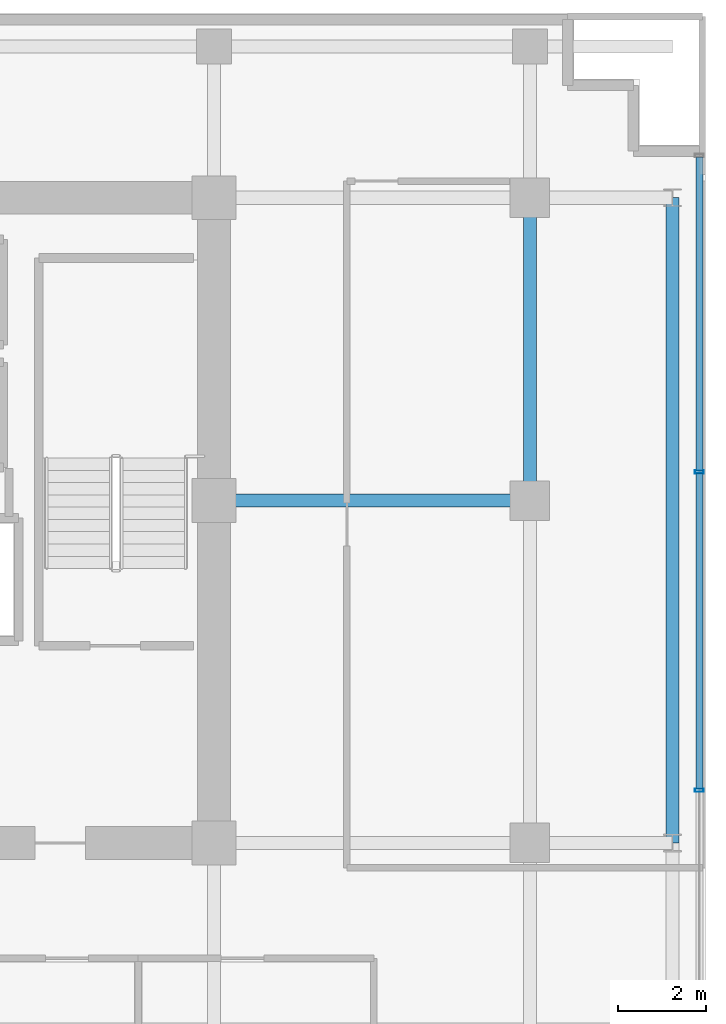
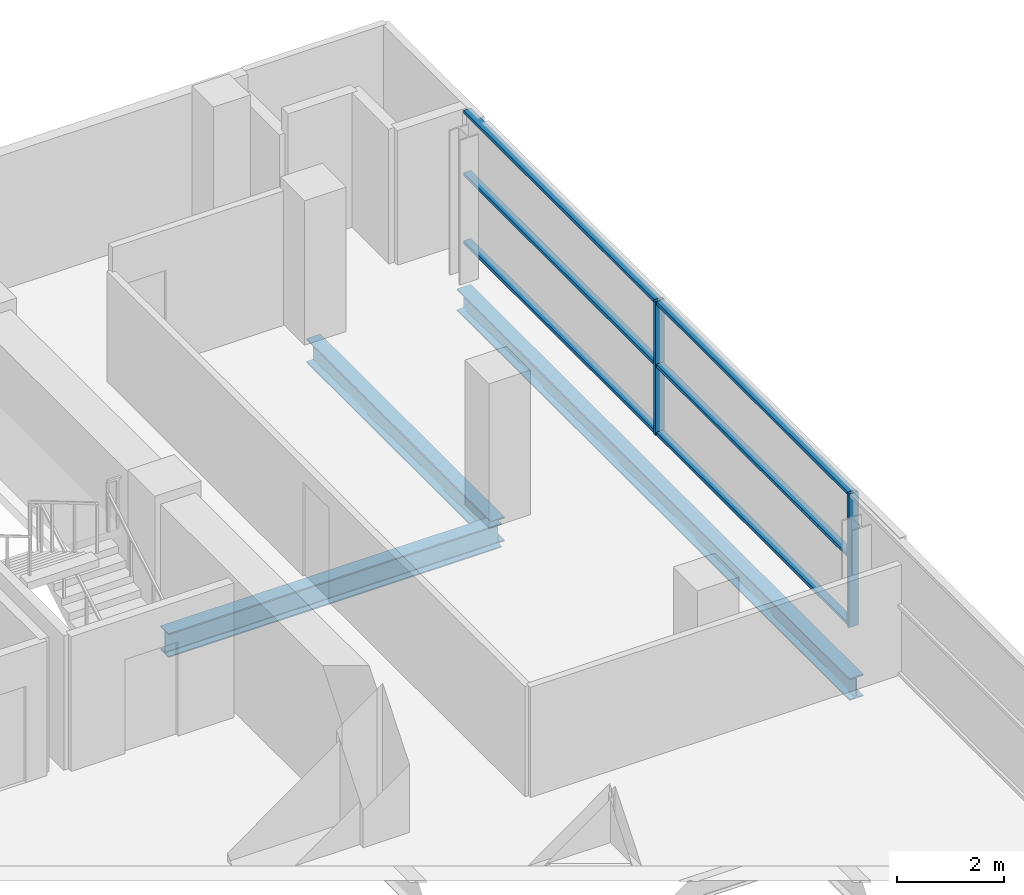
# One storey, part 14 of 28: 8 members, 3 beams, 1 element without a shape of its own.
"""IFC4 building model written with IfcOpenShell, lengths in metres."""

from ifc_helpers import new_model, si_unit, direction, frame, origin, origin_2d, place, context, subcontext, project, spatial, hollow_rectangle, i_section, extrude, source, transform, mapped, material, layer, layer_set, material_profile, profile_set, type_object, element, aggregate, save


model = new_model("IFC4")

# Units and contexts
model_context = context("Model", 3, precision=1e-05, world=origin(), true_north=direction((0.0, 1.0)))
body_context = subcontext(model_context, "Body", "Model", "MODEL_VIEW")
ifc_project = project(units=[si_unit("LENGTHUNIT", "METRE"), si_unit("AREAUNIT", "SQUARE_METRE"), si_unit("VOLUMEUNIT", "CUBIC_METRE"), si_unit("PLANEANGLEUNIT", "RADIAN"), si_unit("MASSUNIT", "GRAM", prefix="KILO")], contexts=[model_context])

# Site, building, storey
site_placement = place(None, origin())
site = spatial("IfcSite", under=ifc_project, at=site_placement, CompositionType="ELEMENT")
building_placement = place(site_placement, origin())
building = spatial("IfcBuilding", under=site, at=building_placement, Name="Zarnakvel Exchange Tower", CompositionType="ELEMENT")
storey_placement = place(building_placement, frame((0.0, 0.0, 90.10009765625)))
storey = spatial("IfcBuildingStorey", under=building, at=storey_placement, Name="L24", CompositionType="ELEMENT", Elevation=90.10009765625)

# Beams
ifc_material_1 = material(Name="Steel S355", Category="steel")
ifc_material_profile_1 = material_profile(ifc_material_1, i_section(OverallWidth=0.300048828125, OverallDepth=0.550048828125, WebThickness=0.014892578125, FlangeThickness=0.029052734375, FilletRadius=0.027099609375, at=origin_2d()))
ifc_profile_set_1 = profile_set([ifc_material_profile_1], Name="Steel S355")
beam_type_1 = type_object("IfcBeamType", Name="G-05", PredefinedType="BEAM", material=ifc_profile_set_1)
beam_1_placement = place(storey_placement, frame((14.39990234375, 6.60009765625, -0.5), z_axis=(1.0, 0.0, 0.0), x_axis=(0.0, 1.0, 0.0)))
element("IfcBeam", 1, at=beam_1_placement, inside=storey, type_object=beam_type_1, Name="L24 Tower E-W Frame Beam", PredefinedType="BEAM", context=body_context, shape_type="SweptSolid", body=[
    extrude(i_section(OverallWidth=0.300048828125, OverallDepth=0.550048828125, WebThickness=0.014892578125, FlangeThickness=0.029052734375, FilletRadius=0.027099609375, at=origin_2d()), origin(), (0.0, 0.0, 1.0), 7.2001953125),
])
beam_2_placement = place(storey_placement, frame((21.60009765625, 6.60009765625, -0.5), z_axis=(0.0, 1.0, 0.0), x_axis=(-1.0, 0.0, 0.0)))
element("IfcBeam", 2, at=beam_2_placement, inside=storey, type_object=beam_type_1, Name="L24 Tower N-S Frame Beam", PredefinedType="BEAM", context=body_context, shape_type="SweptSolid", body=[
    extrude(i_section(OverallWidth=0.300048828125, OverallDepth=0.550048828125, WebThickness=0.014892578125, FlangeThickness=0.029052734375, FilletRadius=0.027099609375, at=origin_2d()), origin(), (0.0, 0.0, 1.0), 6.89990234375),
])
ifc_material_profile_2 = material_profile(ifc_material_1, i_section(OverallWidth=0.300048828125, OverallDepth=0.5, WebThickness=0.014404296875, FlangeThickness=0.028076171875, FilletRadius=0.027099609375, at=origin_2d()))
ifc_profile_set_2 = profile_set([ifc_material_profile_2], Name="Steel S355")
beam_type_2 = type_object("IfcBeamType", Name="SP-02", PredefinedType="SPANDREL", material=ifc_profile_set_2)
beam_3_placement = place(storey_placement, frame((24.85009765625, -1.199951171875, -0.47509765625), z_axis=(0.0, 1.0, 0.0), x_axis=(-1.0, 0.0, 0.0)))
element("IfcBeam", 3, at=beam_3_placement, inside=storey, type_object=beam_type_2, Name="L24 Tower N-S Frame Beam", PredefinedType="SPANDREL", context=body_context, shape_type="SweptSolid", body=[
    extrude(i_section(OverallWidth=0.300048828125, OverallDepth=0.5, WebThickness=0.014404296875, FlangeThickness=0.028076171875, FilletRadius=0.027099609375, at=origin_2d()), origin(), (0.0, 0.0, 1.0), 14.699951171875),
])

# Curtain wall, members
ifc_material_2 = material(Name="Architectural Bronze Anodised Aluminium", Category="aluminium")
ifc_layer = layer(ifc_material_2, 0.199951171875)
ifc_layer_set = layer_set([ifc_layer], Name="Architectural Bronze Anodised Aluminium")
curtain_wall_type = type_object("IfcCurtainWallType", Name="CW-04", PredefinedType="NOTDEFINED", material=ifc_layer_set)
curtain_wall_placement = place(storey_placement, origin())
curtain_wall = element("IfcCurtainWall", 4, at=curtain_wall_placement, inside=storey, type_object=curtain_wall_type, Name="L24 Curtain Wall CW-L24-E1 (CW-04)", PredefinedType="NOTDEFINED")
ifc_material_profile_3 = material_profile(ifc_material_2, hollow_rectangle(XDim=0.199951171875, YDim=0.074951171875, WallThickness=0.0048828125, at=origin_2d()))
ifc_profile_set_3 = profile_set([ifc_material_profile_3], Name="Architectural Bronze Anodised Aluminium")
member_type_1 = type_object("IfcMemberType", Name="CWM-04", PredefinedType="MULLION", material=ifc_profile_set_3)
shared_shape_1 = source(origin(), body_context, "Body", "SweptSolid", [
    extrude(hollow_rectangle(XDim=0.199951171875, YDim=0.074951171875, WallThickness=0.0048828125, at=origin_2d()), origin(), (0.0, 0.0, 1.0), 3.054931640625),
])
member_1_placement = place(storey_placement, frame((25.4599609375, 0.0, 0.0), z_axis=(0.0, 0.0, 1.0), x_axis=(-1.0, 0.0, 0.0)))
member_1 = element("IfcMember", 5, at=member_1_placement, type_object=member_type_1, Name="CW-04 mullion 3", PredefinedType="MULLION", context=body_context, shape_type="MappedRepresentation", body=[
    mapped(shared_shape_1, transform((0.0, 0.0, 0.0), x_axis=(1.0, 0.0, 0.0), y_axis=(0.0, 1.0, 0.0), z_axis=(0.0, 0.0, 1.0), scale=1.0)),
])
member_2_placement = place(storey_placement, frame((25.4599609375, 7.25, 0.0), z_axis=(0.0, 0.0, 1.0), x_axis=(-1.0, 0.0, 0.0)))
member_2 = element("IfcMember", 6, at=member_2_placement, type_object=member_type_1, Name="CW-04 mullion 4", PredefinedType="MULLION", context=body_context, shape_type="MappedRepresentation", body=[
    mapped(shared_shape_1, transform((0.0, 0.0, 0.0), x_axis=(1.0, 0.0, 0.0), y_axis=(0.0, 1.0, 0.0), z_axis=(0.0, 0.0, 1.0), scale=1.0)),
])
ifc_material_profile_4 = material_profile(ifc_material_2, hollow_rectangle(XDim=0.159912109375, YDim=0.074951171875, WallThickness=0.00390625, at=origin_2d()))
ifc_profile_set_4 = profile_set([ifc_material_profile_4], Name="Architectural Bronze Anodised Aluminium")
member_type_2 = type_object("IfcMemberType", Name="CWT-04", PredefinedType="USERDEFINED", material=ifc_profile_set_4)
shared_shape_2 = source(origin(), body_context, "Body", "SweptSolid", [
    extrude(hollow_rectangle(XDim=0.159912109375, YDim=0.074951171875, WallThickness=0.00390625, at=origin_2d()), origin(), (0.0, 0.0, 1.0), 7.137451171875),
])
member_3_placement = place(storey_placement, frame((25.4599609375, 7.28759765625, 0.037353515625), z_axis=(0.0, 1.0, 0.0), x_axis=(-1.0, 0.0, 0.0)))
member_3 = element("IfcMember", 7, at=member_3_placement, type_object=member_type_2, Name="CW-04 transom 4.1", ObjectType="TRANSOM", PredefinedType="USERDEFINED", context=body_context, shape_type="MappedRepresentation", body=[
    mapped(shared_shape_2, transform((0.0, 0.0, 0.0), x_axis=(1.0, 0.0, 0.0), y_axis=(0.0, 1.0, 0.0), z_axis=(0.0, 0.0, 1.0), scale=1.0)),
])
member_4_placement = place(storey_placement, frame((25.4599609375, 7.28759765625, 1.588623046875), z_axis=(0.0, 1.0, 0.0), x_axis=(-1.0, 0.0, 0.0)))
member_4 = element("IfcMember", 8, at=member_4_placement, type_object=member_type_2, Name="CW-04 transom 4.2", ObjectType="TRANSOM", PredefinedType="USERDEFINED", context=body_context, shape_type="MappedRepresentation", body=[
    mapped(shared_shape_2, transform((0.0, 0.0, 0.0), x_axis=(1.0, 0.0, 0.0), y_axis=(0.0, 1.0, 0.0), z_axis=(0.0, 0.0, 1.0), scale=1.0)),
])
member_5_placement = place(storey_placement, frame((25.4599609375, 7.28759765625, 3.017333984375), z_axis=(0.0, 1.0, 0.0), x_axis=(-1.0, 0.0, 0.0)))
member_5 = element("IfcMember", 9, at=member_5_placement, type_object=member_type_2, Name="CW-04 transom 4.3", ObjectType="TRANSOM", PredefinedType="USERDEFINED", context=body_context, shape_type="MappedRepresentation", body=[
    mapped(shared_shape_2, transform((0.0, 0.0, 0.0), x_axis=(1.0, 0.0, 0.0), y_axis=(0.0, 1.0, 0.0), z_axis=(0.0, 0.0, 1.0), scale=1.0)),
])
shared_shape_3 = source(origin(), body_context, "Body", "SweptSolid", [
    extrude(hollow_rectangle(XDim=0.159912109375, YDim=0.074951171875, WallThickness=0.00390625, at=origin_2d()), origin(), (0.0, 0.0, 1.0), 7.1748046875),
])
member_6_placement = place(storey_placement, frame((25.4599609375, 0.03759765625, 0.037353515625), z_axis=(0.0, 1.0, 0.0), x_axis=(-1.0, 0.0, 0.0)))
member_6 = element("IfcMember", 10, at=member_6_placement, type_object=member_type_2, Name="CW-04 transom 3.1", ObjectType="TRANSOM", PredefinedType="USERDEFINED", context=body_context, shape_type="MappedRepresentation", body=[
    mapped(shared_shape_3, transform((0.0, 0.0, 0.0), x_axis=(1.0, 0.0, 0.0), y_axis=(0.0, 1.0, 0.0), z_axis=(0.0, 0.0, 1.0), scale=1.0)),
])
member_7_placement = place(storey_placement, frame((25.4599609375, 0.03759765625, 1.588623046875), z_axis=(0.0, 1.0, 0.0), x_axis=(-1.0, 0.0, 0.0)))
member_7 = element("IfcMember", 11, at=member_7_placement, type_object=member_type_2, Name="CW-04 transom 3.2", ObjectType="TRANSOM", PredefinedType="USERDEFINED", context=body_context, shape_type="MappedRepresentation", body=[
    mapped(shared_shape_3, transform((0.0, 0.0, 0.0), x_axis=(1.0, 0.0, 0.0), y_axis=(0.0, 1.0, 0.0), z_axis=(0.0, 0.0, 1.0), scale=1.0)),
])
member_8_placement = place(storey_placement, frame((25.4599609375, 0.03759765625, 3.017333984375), z_axis=(0.0, 1.0, 0.0), x_axis=(-1.0, 0.0, 0.0)))
member_8 = element("IfcMember", 12, at=member_8_placement, type_object=member_type_2, Name="CW-04 transom 3.3", ObjectType="TRANSOM", PredefinedType="USERDEFINED", context=body_context, shape_type="MappedRepresentation", body=[
    mapped(shared_shape_3, transform((0.0, 0.0, 0.0), x_axis=(1.0, 0.0, 0.0), y_axis=(0.0, 1.0, 0.0), z_axis=(0.0, 0.0, 1.0), scale=1.0)),
])
aggregate(curtain_wall, [member_1, member_2, member_6, member_7, member_8, member_3, member_4, member_5])

save(model, "model.ifc")
